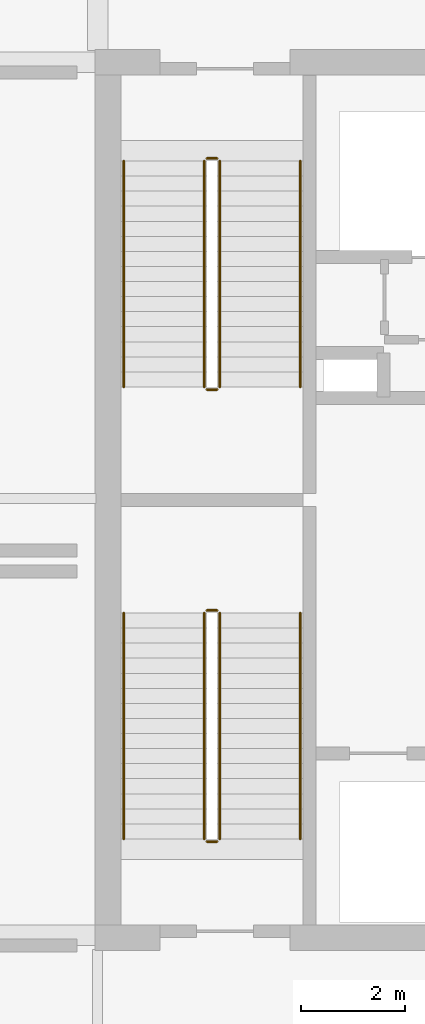
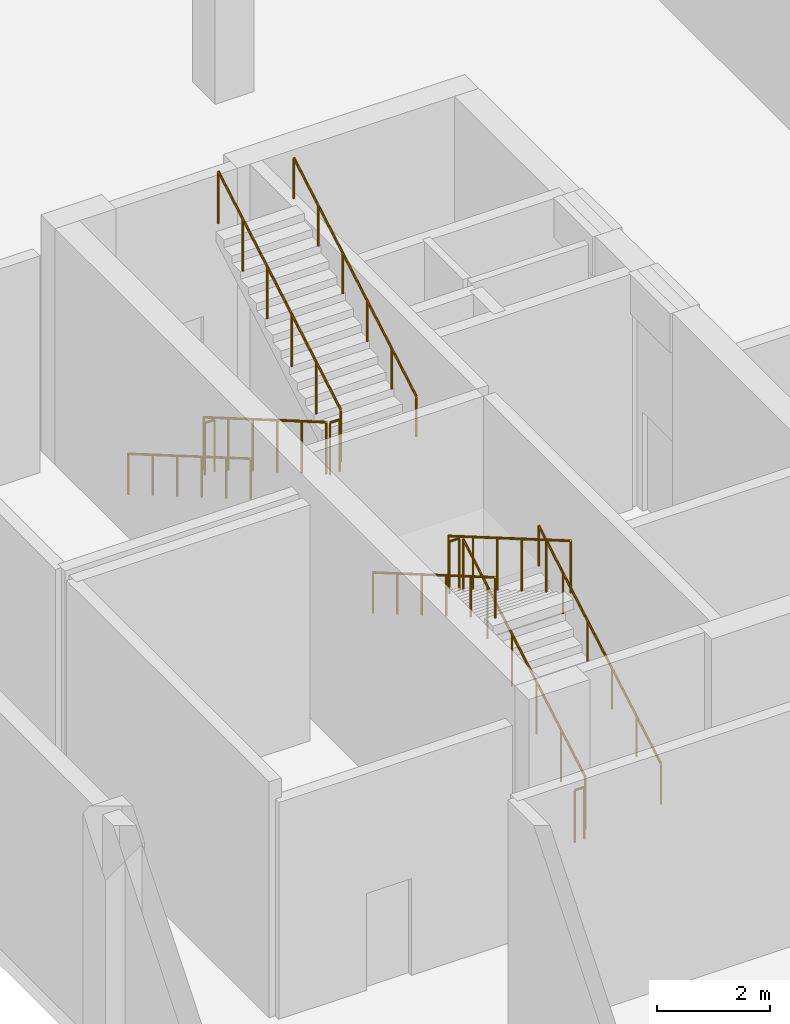
# One storey, part 7 of 7: 12 railings.
"""IFC4 building model written with IfcOpenShell, lengths in metres."""

from ifc_helpers import new_model, si_unit, direction, frame, origin, origin_2d, place, context, subcontext, project, spatial, circle, extrude, material, type_object, element, save


model = new_model("IFC4")

# Units and contexts
model_context = context("Model", 3, precision=1e-05, world=origin(), true_north=direction((0.0, 1.0)))
body_context = subcontext(model_context, "Body", "Model", "MODEL_VIEW")
ifc_project = project(units=[si_unit("LENGTHUNIT", "METRE"), si_unit("AREAUNIT", "SQUARE_METRE"), si_unit("VOLUMEUNIT", "CUBIC_METRE"), si_unit("PLANEANGLEUNIT", "RADIAN"), si_unit("MASSUNIT", "GRAM", prefix="KILO")], contexts=[model_context])

# Site, building, storey
site_placement = place(None, origin())
site = spatial("IfcSite", under=ifc_project, at=site_placement, CompositionType="ELEMENT")
building_placement = place(site_placement, origin())
building = spatial("IfcBuilding", under=site, at=building_placement, Name="Koriwani Terraces Tower", CompositionType="ELEMENT")
storey_placement = place(building_placement, frame((0.0, 0.0, 368.60009765625)))
storey = spatial("IfcBuildingStorey", under=building, at=storey_placement, Name="L91", CompositionType="ELEMENT", Elevation=368.60009765625)

# Railings
ifc_material = material(Name="Steel ASTM A572 Grade 50", Category="steel")
railing_type_1 = type_object("IfcRailingType", Name="GUARD_STAIR_WELL_1120", PredefinedType="GUARDRAIL", material=ifc_material)
railing_1_placement = place(storey_placement, frame((19.14990234375, 43.85009765625, 0.168701171875)))
element("IfcRailing", 1, at=railing_1_placement, inside=storey, type_object=railing_type_1, Name="L91 ST-W1 stair guard 1", PredefinedType="GUARDRAIL", context=body_context, shape_type="SweptSolid", body=[
    extrude(circle(Radius=0.02392578125, at=origin_2d()), frame((0.0, 0.0, 1.1259765625), z_axis=(0.0, 0.864311530196, 0.502956835891), x_axis=(-1.0, 0.0, 0.0)), (0.0, 0.0, 1.0), 5.03271484375),
    extrude(circle(Radius=0.02099609375, at=origin_2d()), origin(), (0.0, 0.0, 1.0), 1.101806640625),
    extrude(circle(Radius=0.02099609375, at=origin_2d()), frame((0.0, 0.869873046875, 0.50634765625)), (0.0, 0.0, 1.0), 1.101806640625),
    extrude(circle(Radius=0.02099609375, at=origin_2d()), frame((0.0, 1.739990234375, 1.012451171875)), (0.0, 0.0, 1.0), 1.101806640625),
    extrude(circle(Radius=0.02099609375, at=origin_2d()), frame((0.0, 2.60986328125, 1.518798828125)), (0.0, 0.0, 1.0), 1.101806640625),
    extrude(circle(Radius=0.02099609375, at=origin_2d()), frame((0.0, 3.47998046875, 2.02490234375)), (0.0, 0.0, 1.0), 1.101806640625),
    extrude(circle(Radius=0.02099609375, at=origin_2d()), frame((0.0, 4.349853515625, 2.53125)), (0.0, 0.0, 1.0), 1.101806640625),
])
railing_2_placement = place(storey_placement, frame((19.10009765625, 48.25, 2.699951171875)))
element("IfcRailing", 2, at=railing_2_placement, inside=storey, type_object=railing_type_1, Name="L91 ST-W1 stair guard 2", PredefinedType="GUARDRAIL", context=body_context, shape_type="SweptSolid", body=[
    extrude(circle(Radius=0.02392578125, at=origin_2d()), frame((0.0, 0.0, 1.1259765625), z_axis=(-1.0, 0.0, 0.0), x_axis=(0.0, -1.0, 0.0)), (0.0, 0.0, 1.0), 0.2001953125),
    extrude(circle(Radius=0.02099609375, at=origin_2d()), origin(), (0.0, 0.0, 1.0), 1.101806640625),
    extrude(circle(Radius=0.02099609375, at=origin_2d()), frame((-0.2001953125, 0.0, 0.0)), (0.0, 0.0, 1.0), 1.101806640625),
])
railing_3_placement = place(storey_placement, frame((18.85009765625, 48.199951171875, 2.86865234375)))
element("IfcRailing", 3, at=railing_3_placement, inside=storey, type_object=railing_type_1, Name="L91 ST-W1 stair guard 3", PredefinedType="GUARDRAIL", context=body_context, shape_type="SweptSolid", body=[
    extrude(circle(Radius=0.02392578125, at=origin_2d()), frame((0.0, 0.0, 1.1259765625), z_axis=(0.0, -0.864311530196, 0.502956835891), x_axis=(1.0, 0.0, 0.0)), (0.0, 0.0, 1.0), 5.03271484375),
    extrude(circle(Radius=0.02099609375, at=origin_2d()), origin(), (0.0, 0.0, 1.0), 1.101806640625),
    extrude(circle(Radius=0.02099609375, at=origin_2d()), frame((0.0, -0.869873046875, 0.50634765625)), (0.0, 0.0, 1.0), 1.101806640625),
    extrude(circle(Radius=0.02099609375, at=origin_2d()), frame((0.0, -1.739990234375, 1.012451171875)), (0.0, 0.0, 1.0), 1.101806640625),
    extrude(circle(Radius=0.02099609375, at=origin_2d()), frame((0.0, -2.60986328125, 1.518798828125)), (0.0, 0.0, 1.0), 1.101806640625),
    extrude(circle(Radius=0.02099609375, at=origin_2d()), frame((0.0, -3.47998046875, 2.02490234375)), (0.0, 0.0, 1.0), 1.101806640625),
    extrude(circle(Radius=0.02099609375, at=origin_2d()), frame((0.0, -4.349853515625, 2.53125)), (0.0, 0.0, 1.0), 1.101806640625),
])
railing_4_placement = place(storey_placement, frame((19.10009765625, 43.800048828125, 0.0)))
element("IfcRailing", 4, at=railing_4_placement, inside=storey, type_object=railing_type_1, Name="L91 ST-W1 stair guard 4", PredefinedType="GUARDRAIL", context=body_context, shape_type="SweptSolid", body=[
    extrude(circle(Radius=0.02392578125, at=origin_2d()), frame((0.0, 0.0, 1.1259765625), z_axis=(-1.0, 0.0, 0.0), x_axis=(0.0, -1.0, 0.0)), (0.0, 0.0, 1.0), 0.2001953125),
    extrude(circle(Radius=0.02099609375, at=origin_2d()), origin(), (0.0, 0.0, 1.0), 1.101806640625),
    extrude(circle(Radius=0.02099609375, at=origin_2d()), frame((-0.2001953125, 0.0, 0.0)), (0.0, 0.0, 1.0), 1.101806640625),
])
railing_5_placement = place(storey_placement, frame((18.85009765625, 56.89990234375, 0.168701171875)))
element("IfcRailing", 5, at=railing_5_placement, inside=storey, type_object=railing_type_1, Name="L91 ST-W2 stair guard 1", PredefinedType="GUARDRAIL", context=body_context, shape_type="SweptSolid", body=[
    extrude(circle(Radius=0.02392578125, at=origin_2d()), frame((0.0, 0.0, 1.1259765625), z_axis=(0.0, -0.864311530196, 0.502956835891), x_axis=(1.0, 0.0, 0.0)), (0.0, 0.0, 1.0), 5.03271484375),
    extrude(circle(Radius=0.02099609375, at=origin_2d()), origin(), (0.0, 0.0, 1.0), 1.101806640625),
    extrude(circle(Radius=0.02099609375, at=origin_2d()), frame((0.0, -0.869873046875, 0.50634765625)), (0.0, 0.0, 1.0), 1.101806640625),
    extrude(circle(Radius=0.02099609375, at=origin_2d()), frame((0.0, -1.739990234375, 1.012451171875)), (0.0, 0.0, 1.0), 1.101806640625),
    extrude(circle(Radius=0.02099609375, at=origin_2d()), frame((0.0, -2.60986328125, 1.518798828125)), (0.0, 0.0, 1.0), 1.101806640625),
    extrude(circle(Radius=0.02099609375, at=origin_2d()), frame((0.0, -3.47998046875, 2.02490234375)), (0.0, 0.0, 1.0), 1.101806640625),
    extrude(circle(Radius=0.02099609375, at=origin_2d()), frame((0.0, -4.349853515625, 2.53125)), (0.0, 0.0, 1.0), 1.101806640625),
])
railing_6_placement = place(storey_placement, frame((18.89990234375, 52.5, 2.699951171875)))
element("IfcRailing", 6, at=railing_6_placement, inside=storey, type_object=railing_type_1, Name="L91 ST-W2 stair guard 2", PredefinedType="GUARDRAIL", context=body_context, shape_type="SweptSolid", body=[
    extrude(circle(Radius=0.02392578125, at=origin_2d()), frame((0.0, 0.0, 1.1259765625), z_axis=(1.0, 0.0, 0.0), x_axis=(0.0, 1.0, 0.0)), (0.0, 0.0, 1.0), 0.2001953125),
    extrude(circle(Radius=0.02099609375, at=origin_2d()), origin(), (0.0, 0.0, 1.0), 1.101806640625),
    extrude(circle(Radius=0.02099609375, at=origin_2d()), frame((0.2001953125, 0.0, 0.0)), (0.0, 0.0, 1.0), 1.101806640625),
])
railing_7_placement = place(storey_placement, frame((19.14990234375, 52.550048828125, 2.86865234375)))
element("IfcRailing", 7, at=railing_7_placement, inside=storey, type_object=railing_type_1, Name="L91 ST-W2 stair guard 3", PredefinedType="GUARDRAIL", context=body_context, shape_type="SweptSolid", body=[
    extrude(circle(Radius=0.02392578125, at=origin_2d()), frame((0.0, 0.0, 1.1259765625), z_axis=(0.0, 0.864311530196, 0.502956835891), x_axis=(-1.0, 0.0, 0.0)), (0.0, 0.0, 1.0), 5.03271484375),
    extrude(circle(Radius=0.02099609375, at=origin_2d()), origin(), (0.0, 0.0, 1.0), 1.101806640625),
    extrude(circle(Radius=0.02099609375, at=origin_2d()), frame((0.0, 0.869873046875, 0.50634765625)), (0.0, 0.0, 1.0), 1.101806640625),
    extrude(circle(Radius=0.02099609375, at=origin_2d()), frame((0.0, 1.739990234375, 1.012451171875)), (0.0, 0.0, 1.0), 1.101806640625),
    extrude(circle(Radius=0.02099609375, at=origin_2d()), frame((0.0, 2.60986328125, 1.518798828125)), (0.0, 0.0, 1.0), 1.101806640625),
    extrude(circle(Radius=0.02099609375, at=origin_2d()), frame((0.0, 3.47998046875, 2.02490234375)), (0.0, 0.0, 1.0), 1.101806640625),
    extrude(circle(Radius=0.02099609375, at=origin_2d()), frame((0.0, 4.349853515625, 2.53125)), (0.0, 0.0, 1.0), 1.101806640625),
])
railing_8_placement = place(storey_placement, frame((18.89990234375, 56.949951171875, 0.0)))
element("IfcRailing", 8, at=railing_8_placement, inside=storey, type_object=railing_type_1, Name="L91 ST-W2 stair guard 4", PredefinedType="GUARDRAIL", context=body_context, shape_type="SweptSolid", body=[
    extrude(circle(Radius=0.02392578125, at=origin_2d()), frame((0.0, 0.0, 1.1259765625), z_axis=(1.0, 0.0, 0.0), x_axis=(0.0, 1.0, 0.0)), (0.0, 0.0, 1.0), 0.2001953125),
    extrude(circle(Radius=0.02099609375, at=origin_2d()), origin(), (0.0, 0.0, 1.0), 1.101806640625),
    extrude(circle(Radius=0.02099609375, at=origin_2d()), frame((0.2001953125, 0.0, 0.0)), (0.0, 0.0, 1.0), 1.101806640625),
])
railing_type_2 = type_object("IfcRailingType", Name="HANDRAIL_STAIR_920", PredefinedType="HANDRAIL", material=ifc_material)
railing_9_placement = place(storey_placement, frame((20.699951171875, 43.85009765625, 0.168701171875)))
element("IfcRailing", 9, at=railing_9_placement, inside=storey, type_object=railing_type_2, Name="L91 ST-W1 stair handrail 1", PredefinedType="HANDRAIL", context=body_context, shape_type="SweptSolid", body=[
    extrude(circle(Radius=0.02392578125, at=origin_2d()), frame((0.0, 0.0, 0.8759765625), z_axis=(0.0, 0.864311530196, 0.502956835891), x_axis=(-1.0, 0.0, 0.0)), (0.0, 0.0, 1.0), 5.03271484375),
    extrude(circle(Radius=0.02099609375, at=origin_2d()), origin(), (0.0, 0.0, 1.0), 0.851806640625),
    extrude(circle(Radius=0.02099609375, at=origin_2d()), frame((0.0, 0.869873046875, 0.50634765625)), (0.0, 0.0, 1.0), 0.851806640625),
    extrude(circle(Radius=0.02099609375, at=origin_2d()), frame((0.0, 1.739990234375, 1.012451171875)), (0.0, 0.0, 1.0), 0.851806640625),
    extrude(circle(Radius=0.02099609375, at=origin_2d()), frame((0.0, 2.60986328125, 1.518798828125)), (0.0, 0.0, 1.0), 0.851806640625),
    extrude(circle(Radius=0.02099609375, at=origin_2d()), frame((0.0, 3.47998046875, 2.02490234375)), (0.0, 0.0, 1.0), 0.851806640625),
    extrude(circle(Radius=0.02099609375, at=origin_2d()), frame((0.0, 4.349853515625, 2.53125)), (0.0, 0.0, 1.0), 0.851806640625),
])
for number, where, name in (
    (10, (17.300048828125, 48.199951171875, 2.86865234375), "L91 ST-W1 stair handrail 2"),
    (11, (17.300048828125, 56.89990234375, 0.168701171875), "L91 ST-W2 stair handrail 1"),
):
    element("IfcRailing", number, at=place(storey_placement, frame(where)), inside=storey, type_object=railing_type_2, Name=name, PredefinedType="HANDRAIL", context=body_context, shape_type="SweptSolid", body=[
        extrude(circle(Radius=0.02392578125, at=origin_2d()), frame((0.0, 0.0, 0.8759765625), z_axis=(0.0, -0.864311530196, 0.502956835891), x_axis=(1.0, 0.0, 0.0)), (0.0, 0.0, 1.0), 5.03271484375),
        extrude(circle(Radius=0.02099609375, at=origin_2d()), origin(), (0.0, 0.0, 1.0), 0.851806640625),
        extrude(circle(Radius=0.02099609375, at=origin_2d()), frame((0.0, -0.869873046875, 0.50634765625)), (0.0, 0.0, 1.0), 0.851806640625),
        extrude(circle(Radius=0.02099609375, at=origin_2d()), frame((0.0, -1.739990234375, 1.012451171875)), (0.0, 0.0, 1.0), 0.851806640625),
        extrude(circle(Radius=0.02099609375, at=origin_2d()), frame((0.0, -2.60986328125, 1.518798828125)), (0.0, 0.0, 1.0), 0.851806640625),
        extrude(circle(Radius=0.02099609375, at=origin_2d()), frame((0.0, -3.47998046875, 2.02490234375)), (0.0, 0.0, 1.0), 0.851806640625),
        extrude(circle(Radius=0.02099609375, at=origin_2d()), frame((0.0, -4.349853515625, 2.53125)), (0.0, 0.0, 1.0), 0.851806640625),
    ])
railing_10_placement = place(storey_placement, frame((20.699951171875, 52.550048828125, 2.86865234375)))
element("IfcRailing", 12, at=railing_10_placement, inside=storey, type_object=railing_type_2, Name="L91 ST-W2 stair handrail 2", PredefinedType="HANDRAIL", context=body_context, shape_type="SweptSolid", body=[
    extrude(circle(Radius=0.02392578125, at=origin_2d()), frame((0.0, 0.0, 0.8759765625), z_axis=(0.0, 0.864311530196, 0.502956835891), x_axis=(-1.0, 0.0, 0.0)), (0.0, 0.0, 1.0), 5.03271484375),
    extrude(circle(Radius=0.02099609375, at=origin_2d()), origin(), (0.0, 0.0, 1.0), 0.851806640625),
    extrude(circle(Radius=0.02099609375, at=origin_2d()), frame((0.0, 0.869873046875, 0.50634765625)), (0.0, 0.0, 1.0), 0.851806640625),
    extrude(circle(Radius=0.02099609375, at=origin_2d()), frame((0.0, 1.739990234375, 1.012451171875)), (0.0, 0.0, 1.0), 0.851806640625),
    extrude(circle(Radius=0.02099609375, at=origin_2d()), frame((0.0, 2.60986328125, 1.518798828125)), (0.0, 0.0, 1.0), 0.851806640625),
    extrude(circle(Radius=0.02099609375, at=origin_2d()), frame((0.0, 3.47998046875, 2.02490234375)), (0.0, 0.0, 1.0), 0.851806640625),
    extrude(circle(Radius=0.02099609375, at=origin_2d()), frame((0.0, 4.349853515625, 2.53125)), (0.0, 0.0, 1.0), 0.851806640625),
])

save(model, "model.ifc")
